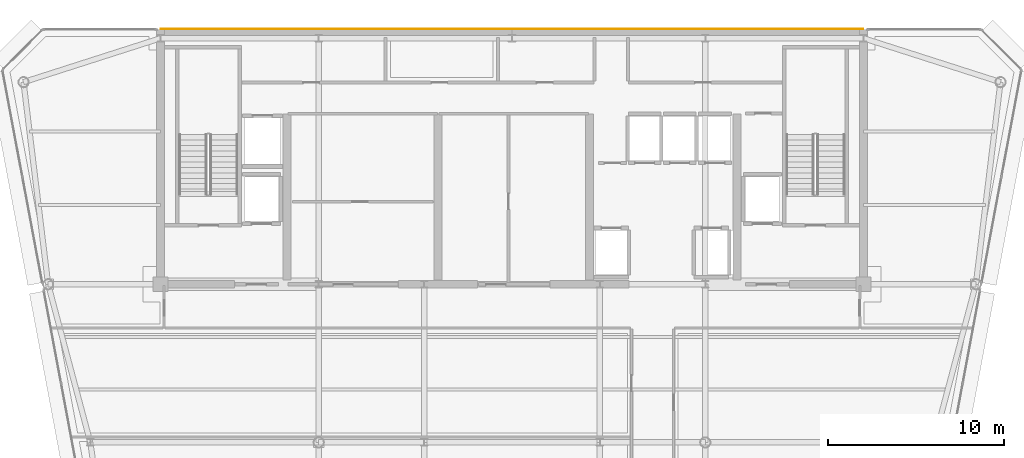
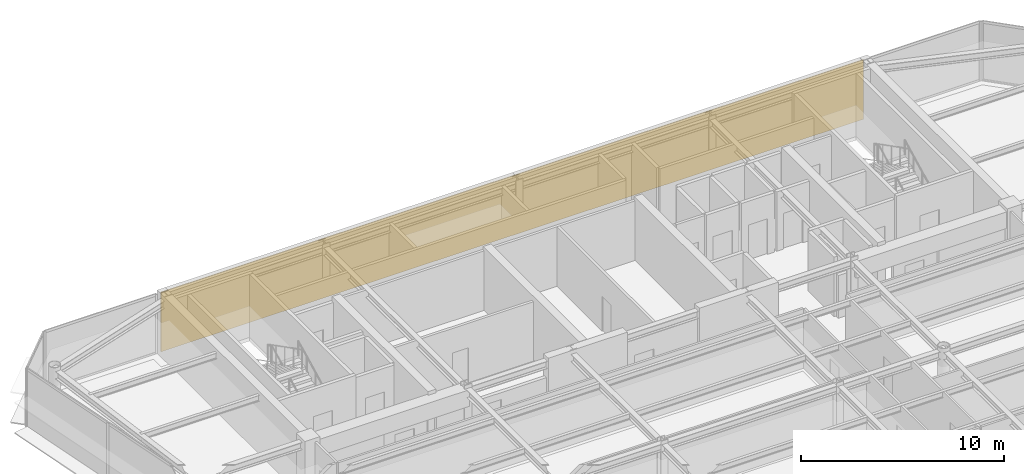
# One storey, part 18 of 19: 1 covering.
"""IFC4 building model written with IfcOpenShell, lengths in metres."""

from ifc_helpers import new_model, si_unit, direction, frame, origin, place, context, subcontext, project, spatial, polyline, outline, extrude, material, layer, layer_set, type_object, element, save


model = new_model("IFC4")

# Units and contexts
model_context = context("Model", 3, precision=1e-05, world=origin(), true_north=direction((0.0, 1.0)))
body_context = subcontext(model_context, "Body", "Model", "MODEL_VIEW")
ifc_project = project(units=[si_unit("LENGTHUNIT", "METRE"), si_unit("AREAUNIT", "SQUARE_METRE"), si_unit("VOLUMEUNIT", "CUBIC_METRE"), si_unit("PLANEANGLEUNIT", "RADIAN"), si_unit("MASSUNIT", "GRAM", prefix="KILO")], contexts=[model_context])

# Site, building, storey
site_placement = place(None, origin())
site = spatial("IfcSite", under=ifc_project, at=site_placement, CompositionType="ELEMENT")
building_placement = place(site_placement, origin())
building = spatial("IfcBuilding", under=site, at=building_placement, Name="Vaeldorn Concourse Tower", CompositionType="ELEMENT")
storey_placement = place(building_placement, frame((0.0, 0.0, 287.800048828125)))
storey = spatial("IfcBuildingStorey", under=building, at=storey_placement, Name="L74", CompositionType="ELEMENT", Elevation=287.800048828125)

# Covering
ifc_material = material(Name="Anodised Bronze Aluminium", Category="aluminium")
ifc_layer = layer(ifc_material, 0.050048828125)
ifc_layer_set = layer_set([ifc_layer], Name="Anodised Bronze Aluminium")
covering_type = type_object("IfcCoveringType", Name="COV-CLAD-BRONZE", PredefinedType="CLADDING", material=ifc_layer_set)
covering_placement = place(storey_placement, origin())
element("IfcCovering", 1, at=covering_placement, inside=storey, type_object=covering_type, Name="Rear Core Bronze Spandrel Cladding L74", PredefinedType="CLADDING", context=body_context, shape_type="SweptSolid", body=[
    extrude(outline(polyline([(14.0, 51.0), (54.0, 51.0), (54.0, 51.050048828125), (14.0, 51.050048828125), (14.0, 51.0)])), origin(), (0.0, 0.0, 1.0), 3.579833984375),
])

save(model, "model.ifc")
